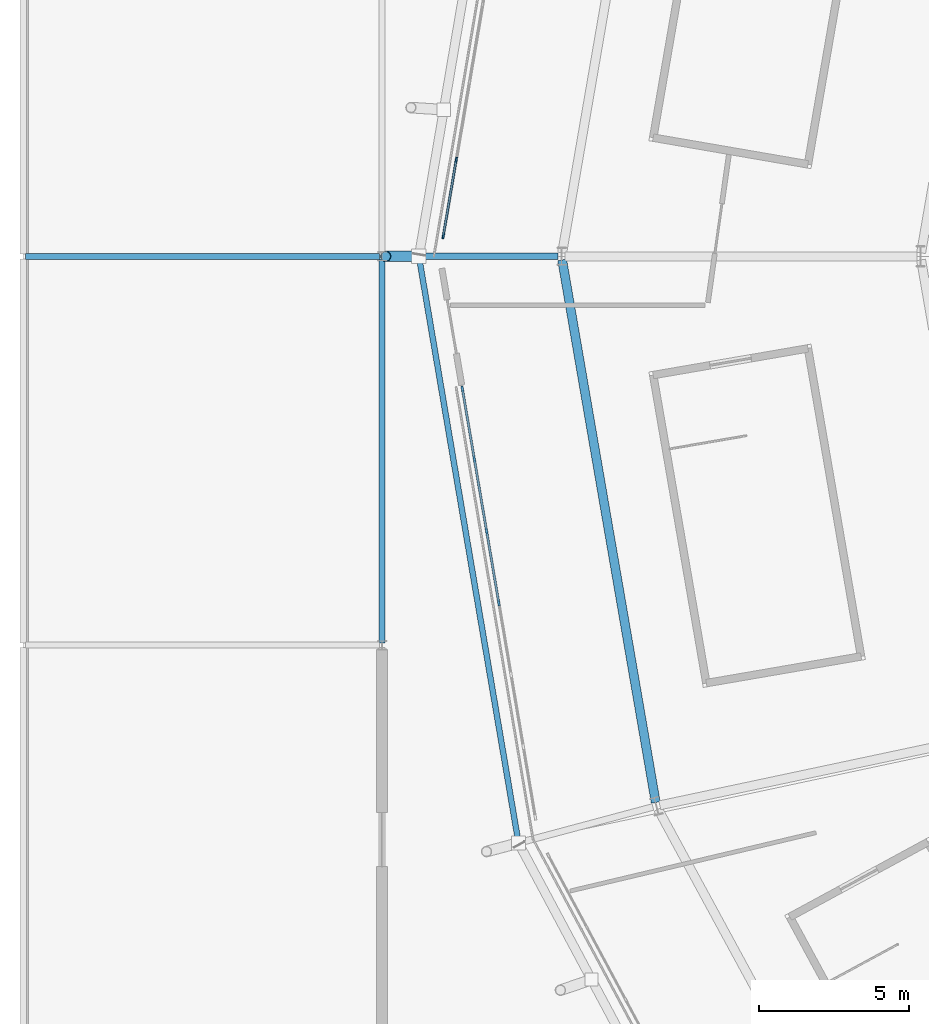
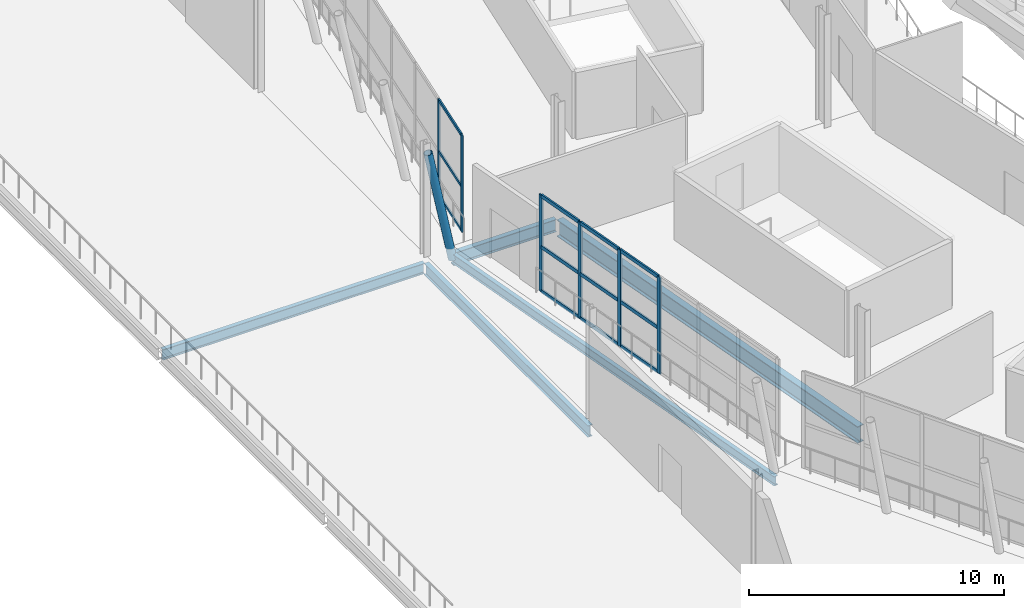
# One storey, part 25 of 126: 19 members, 5 beams, 2 elements without a shape of their own.
"""IFC4 building model written with IfcOpenShell, lengths in metres."""

import ifcopenshell
import ifcopenshell.guid

model = None  # the IFC model being written
_history = None  # IfcOwnerHistory: only IFC2X3 demands one
_inside = {}  # id of a spatial element -> (the spatial element, [elements in it])
_under = {}  # id of a project, library or spatial element -> (it, [spatial elements below it])
_declared = {}  # id of a project -> (the project, [libraries it declares])
_typed = {}  # id of a type object -> (the type object, [elements of that type])
_made_of = {}  # id of a material, layer set ... -> (it, [elements and type objects made of it])


def new_model(schema):
    """Start an empty IFC model of exactly this schema.

    Asked for "IFC4X3", IfcOpenShell would pick the latest addendum, in which some entities
    have other attributes; the version numbers below select the first issue.
    IFC2X3 requires an IfcOwnerHistory on every rooted entity: one is made here for all.
    """
    global model, _history
    if schema == "IFC4X3":
        model = ifcopenshell.file(schema_version=(4, 3, 0, 0))
    else:
        model = ifcopenshell.file(schema=schema)
    _inside.clear()
    _under.clear()
    _declared.clear()
    _typed.clear()
    _made_of.clear()
    _history = None
    if model.schema == "IFC2X3":
        org = make("IfcOrganization", Name="unknown")
        user = make(
            "IfcPersonAndOrganization",
            ThePerson=make("IfcPerson", FamilyName="unknown"),
            TheOrganization=org,
        )
        app = make(
            "IfcApplication",
            ApplicationDeveloper=org,
            Version="unknown",
            ApplicationFullName="unknown",
            ApplicationIdentifier="unknown",
        )
        _history = make(
            "IfcOwnerHistory",
            OwningUser=user,
            OwningApplication=app,
            ChangeAction="ADDED",
            CreationDate=0,
        )
    return model


def make(cls, **values):
    """One entity of the class cls with the attributes given. An attribute that is None is left unset."""
    return model.create_entity(
        cls, **{name: value for name, value in values.items() if value is not None}
    )


def rooted(cls, **values):
    """An entity with a GlobalId (a new one), such as an element, a storey or a relation."""
    return make(cls, GlobalId=ifcopenshell.guid.new(), OwnerHistory=_history, **values)


def si_unit(unit_type, name, prefix=None):
    """IfcSIUnit, for example si_unit("LENGTHUNIT", "METRE", prefix="MILLI")."""
    return make("IfcSIUnit", UnitType=unit_type, Prefix=prefix, Name=name)


def assignment(units):
    """IfcUnitAssignment: the units of a project."""
    return None if units is None else make("IfcUnitAssignment", Units=units)


def point(xyz):
    """IfcCartesianPoint."""
    return None if xyz is None else make("IfcCartesianPoint", Coordinates=xyz)


def direction(xyz):
    """IfcDirection."""
    return None if xyz is None else make("IfcDirection", DirectionRatios=xyz)


def frame(location, z_axis=None, x_axis=None):
    """IfcAxis2Placement3D, a coordinate frame: its origin and axes. An axis left out is left unset."""
    return make(
        "IfcAxis2Placement3D",
        Location=point(location),
        Axis=direction(z_axis),
        RefDirection=direction(x_axis),
    )


def frame_2d(location, x_axis=None):
    """IfcAxis2Placement2D, a coordinate frame in the plane: its origin and x axis."""
    return make(
        "IfcAxis2Placement2D", Location=point(location), RefDirection=direction(x_axis)
    )


def origin():
    """The frame at (0, 0, 0) with its axes left unset."""
    return frame((0.0, 0.0, 0.0))


def origin_2d():
    """The frame at (0, 0) in the plane with its x axis left unset."""
    return frame_2d((0.0, 0.0))


def place(relative_to, where):
    """IfcLocalPlacement: puts the frame where relative to a parent placement (None: the world)."""
    return make(
        "IfcLocalPlacement", PlacementRelTo=relative_to, RelativePlacement=where
    )


def context(
    kind, dimensions, precision=None, world=None, true_north=None, identifier=None
):
    """IfcGeometricRepresentationContext, for example the 3D "Model" context."""
    return make(
        "IfcGeometricRepresentationContext",
        ContextIdentifier=identifier,
        ContextType=kind,
        CoordinateSpaceDimension=dimensions,
        Precision=precision,
        WorldCoordinateSystem=world,
        TrueNorth=true_north,
    )


def subcontext(parent, identifier, kind, view, scale=None):
    """IfcGeometricRepresentationSubContext, for example "Body" below "Model"."""
    return make(
        "IfcGeometricRepresentationSubContext",
        ContextIdentifier=identifier,
        ContextType=kind,
        ParentContext=parent,
        TargetScale=scale,
        TargetView=view,
    )


def project(units=None, contexts=None):
    """IfcProject with its units and contexts."""
    return rooted(
        "IfcProject",
        Name="project",
        RepresentationContexts=contexts,
        UnitsInContext=assignment(units),
    )


def spatial(cls, under=None, at=None, **own):
    """A site, building, storey or space (cls), placed at a placement, below another one or the project."""
    s = rooted(cls, ObjectPlacement=at, **own)
    if under is not None:
        _under.setdefault(under.id(), (under, []))[1].append(s)
    return s


def profile(cls, at=None, kind="AREA", **sizes):
    """A parametric profile (cls). Its sizes go by their IFC names, for example OverallWidth=200.0."""
    return make(cls, ProfileType=kind, Position=at, **sizes)


def rectangle(**sizes):
    """IfcRectangleProfileDef."""
    return profile("IfcRectangleProfileDef", **sizes)


def hollow_circle(**sizes):
    """IfcCircleHollowProfileDef."""
    return profile("IfcCircleHollowProfileDef", **sizes)


def i_section(**sizes):
    """IfcIShapeProfileDef."""
    return profile("IfcIShapeProfileDef", **sizes)


def extrude(swept, where, along, depth):
    """IfcExtrudedAreaSolid: the profile swept, set in the frame where, extruded along a direction by depth."""
    return make(
        "IfcExtrudedAreaSolid",
        SweptArea=swept,
        Position=where,
        ExtrudedDirection=direction(along),
        Depth=depth,
    )


def shape(context_of_items, identifier, shape_type, items):
    """IfcShapeRepresentation: the items that make up one representation, for example the "Body"."""
    return make(
        "IfcShapeRepresentation",
        ContextOfItems=context_of_items,
        RepresentationIdentifier=identifier,
        RepresentationType=shape_type,
        Items=items,
    )


def material(Name=None, Category=None):
    """IfcMaterial."""
    return make("IfcMaterial", Name=Name, Category=Category)


def material_profile(
    of_material, cross_section, Name=None, Category=None, Priority=None
):
    """IfcMaterialProfile: a cross section and its material."""
    return make(
        "IfcMaterialProfile",
        Name=Name,
        Material=of_material,
        Profile=cross_section,
        Priority=Priority,
        Category=Category,
    )


def profile_set(profiles, Name=None, composite=None):
    """IfcMaterialProfileSet."""
    return make(
        "IfcMaterialProfileSet",
        Name=Name,
        MaterialProfiles=profiles,
        CompositeProfile=composite,
    )


def made_of(thing, what):
    """Note that an element or type object is made of a material, layer set ...; save() writes the relation."""
    if what is not None:
        _made_of.setdefault(what.id(), (what, []))[1].append(thing)
    return thing


def type_object(cls, material=None, **own):
    """A type object (cls), such as IfcWallType, which elements share."""
    return made_of(rooted(cls, **own), material)


def element(
    cls,
    number,
    at=None,
    inside=None,
    cuts=None,
    type_object=None,
    material=None,
    context=None,
    identifier="Body",
    shape_type=None,
    held_by="IfcProductDefinitionShape",
    body=None,
    shapes=None,
    **own,
):
    """One element of the class cls, such as IfcWall. Its Tag is "e" and its number.

    at: its placement. inside: the storey or other place that contains it. cuts: it is an
    opening in that element (IfcRelVoidsElement). A single representation is given by context,
    identifier, shape_type and body (its items); several are given by shapes. held_by: the class
    of the entity that holds the representations. save() writes the other relations.
    """
    e = rooted(cls, Tag="e%d" % number, ObjectPlacement=at, **own)
    if body is not None:
        shapes = [shape(context, identifier, shape_type, body)]
    if shapes is not None:
        e.Representation = make(held_by, Representations=shapes)
    if inside is not None:
        _inside.setdefault(inside.id(), (inside, []))[1].append(e)
    if cuts is not None:
        rooted(
            "IfcRelVoidsElement", RelatingBuildingElement=cuts, RelatedOpeningElement=e
        )
    if type_object is not None:
        _typed.setdefault(type_object.id(), (type_object, []))[1].append(e)
    return made_of(e, material)


def aggregate(whole, parts):
    """IfcRelAggregates: a whole, such as a stair, and the parts it consists of."""
    return rooted("IfcRelAggregates", RelatingObject=whole, RelatedObjects=parts)


def save(model, path):
    """Write the relations noted so far, then the file.

    IfcRelAggregates (storeys below a building ...), IfcRelContainedInSpatialStructure (elements
    in a storey), IfcRelDefinesByType, IfcRelAssociatesMaterial and IfcRelDeclares: one each for
    every whole, place, type object, material and project.
    """
    for whole, parts in _under.values():
        aggregate(whole, parts)
    for where, things in _inside.values():
        rooted(
            "IfcRelContainedInSpatialStructure",
            RelatedElements=things,
            RelatingStructure=where,
        )
    for kind, things in _typed.values():
        rooted("IfcRelDefinesByType", RelatedObjects=things, RelatingType=kind)
    for what, things in _made_of.values():
        rooted("IfcRelAssociatesMaterial", RelatedObjects=things, RelatingMaterial=what)
    for by, libraries in _declared.values():
        rooted("IfcRelDeclares", RelatingContext=by, RelatedDefinitions=libraries)
    model.write(path)


model = new_model("IFC4")

# Units and contexts
model_context = context("Model", 3, precision=1e-05, world=origin(), true_north=direction((0.0, 1.0)))
body_context = subcontext(model_context, "Body", "Model", "MODEL_VIEW")
ifc_project = project(units=[si_unit("LENGTHUNIT", "METRE"), si_unit("AREAUNIT", "SQUARE_METRE"), si_unit("VOLUMEUNIT", "CUBIC_METRE"), si_unit("PLANEANGLEUNIT", "RADIAN"), si_unit("MASSUNIT", "GRAM", prefix="KILO")], contexts=[model_context])

# Site, building, storey
site_placement = place(None, origin())
site = spatial("IfcSite", under=ifc_project, at=site_placement, CompositionType="ELEMENT")
building_placement = place(site_placement, origin())
building = spatial("IfcBuilding", under=site, at=building_placement, Name="Zlatoyarsky Gate Stadium", CompositionType="ELEMENT")
storey_placement = place(building_placement, frame((0.0, 0.0, 20.800048828125)))
storey = spatial("IfcBuildingStorey", under=building, at=storey_placement, Name="L04", CompositionType="ELEMENT", Elevation=20.800048828125)

# Curtain wall, members
ifc_material_1 = material(Name="Thermally broken anodised aluminium curtain wall", Category="aluminium")
curtain_wall_type_1 = type_object("IfcCurtainWallType", Name="MONUMENTAL ARCHED GATE GLAZING LOWER", PredefinedType="USERDEFINED", material=ifc_material_1)
curtain_wall_1_placement = place(storey_placement, origin())
curtain_wall_1 = element("IfcCurtainWall", 1, at=curtain_wall_1_placement, inside=storey, type_object=curtain_wall_type_1, Name="Curtain wall CW-L04-12", ObjectType="ARCHED GATE GLAZING", PredefinedType="USERDEFINED")
ifc_material_2 = material(Name="Anodised aluminium 6063-T6", Category="aluminium")
ifc_material_profile_1 = material_profile(ifc_material_2, rectangle(XDim=0.074951171875, YDim=0.18994140625, at=origin_2d()), Name="ALU 75X190")
ifc_profile_set_1 = profile_set([ifc_material_profile_1], Name="Anodised aluminium 6063-T6")
member_type_1 = type_object("IfcMemberType", Name="ALUMINIUM GATE MULLION 75X190", PredefinedType="MULLION", material=ifc_profile_set_1)
member_1_placement = place(storey_placement, frame((14.68359375, 75.576171875, 0.0), z_axis=(0.0, 0.0, 1.0), x_axis=(0.985817242516, 0.167822419114, 0.0)))
member_1 = element("IfcMember", 2, at=member_1_placement, type_object=member_type_1, Name="CW-AG1 mullion 1", PredefinedType="MULLION", context=body_context, shape_type="SweptSolid", body=[
    extrude(rectangle(XDim=0.074951171875, YDim=0.18994140625, at=origin_2d()), origin(), (0.0, 0.0, 1.0), 4.619873046875),
])
member_2_placement = place(storey_placement, frame((15.0859375, 73.212890625, 0.0), z_axis=(0.0, 0.0, 1.0), x_axis=(0.985817242516, 0.167822419114, 0.0)))
member_2 = element("IfcMember", 3, at=member_2_placement, type_object=member_type_1, Name="CW-AG1 mullion 2", PredefinedType="MULLION", context=body_context, shape_type="SweptSolid", body=[
    extrude(rectangle(XDim=0.074951171875, YDim=0.18994140625, at=origin_2d()), origin(), (0.0, 0.0, 1.0), 4.619873046875),
])
member_3_placement = place(storey_placement, frame((15.494384765625, 70.8125, 0.0), z_axis=(0.0, 0.0, 1.0), x_axis=(0.985817242516, 0.167822419114, 0.0)))
member_3 = element("IfcMember", 4, at=member_3_placement, type_object=member_type_1, Name="CW-AG1 mullion 3", PredefinedType="MULLION", context=body_context, shape_type="SweptSolid", body=[
    extrude(rectangle(XDim=0.074951171875, YDim=0.18994140625, at=origin_2d()), origin(), (0.0, 0.0, 1.0), 4.619873046875),
])
member_4_placement = place(storey_placement, frame((15.903076171875, 68.412353515625, 0.0), z_axis=(0.0, 0.0, 1.0), x_axis=(0.985817242516, 0.167822419114, 0.0)))
member_4 = element("IfcMember", 5, at=member_4_placement, type_object=member_type_1, Name="CW-AG1 mullion 4", PredefinedType="MULLION", context=body_context, shape_type="SweptSolid", body=[
    extrude(rectangle(XDim=0.074951171875, YDim=0.18994140625, at=origin_2d()), origin(), (0.0, 0.0, 1.0), 4.619873046875),
])
ifc_material_profile_2 = material_profile(ifc_material_2, rectangle(XDim=0.074951171875, YDim=0.169921875, at=origin_2d()), Name="ALU 75X170")
ifc_profile_set_2 = profile_set([ifc_material_profile_2], Name="Anodised aluminium 6063-T6")
member_type_2 = type_object("IfcMemberType", Name="ALUMINIUM GATE TRANSOM 75X170", PredefinedType="USERDEFINED", material=ifc_profile_set_2)
member_5_placement = place(storey_placement, frame((14.689697265625, 75.5390625, 0.037353515625), z_axis=(0.167892821996, -0.985805254765, 0.0), x_axis=(0.985805254765, 0.167892821996, 0.0)))
member_5 = element("IfcMember", 6, at=member_5_placement, type_object=member_type_2, Name="CW-AG1 transom 1.1", ObjectType="TRANSOM", PredefinedType="USERDEFINED", context=body_context, shape_type="SweptSolid", body=[
    extrude(rectangle(XDim=0.074951171875, YDim=0.169921875, at=origin_2d()), origin(), (0.0, 0.0, 1.0), 2.322265625),
])
member_6_placement = place(storey_placement, frame((14.689697265625, 75.5390625, 2.14990234375), z_axis=(0.167892821996, -0.985805254765, 0.0), x_axis=(0.985805254765, 0.167892821996, 0.0)))
member_6 = element("IfcMember", 7, at=member_6_placement, type_object=member_type_2, Name="CW-AG1 transom 1.2", ObjectType="TRANSOM", PredefinedType="USERDEFINED", context=body_context, shape_type="SweptSolid", body=[
    extrude(rectangle(XDim=0.074951171875, YDim=0.169921875, at=origin_2d()), origin(), (0.0, 0.0, 1.0), 2.322265625),
])
member_7_placement = place(storey_placement, frame((14.689697265625, 75.5390625, 4.58251953125), z_axis=(0.167892821996, -0.985805254765, 0.0), x_axis=(0.985805254765, 0.167892821996, 0.0)))
member_7 = element("IfcMember", 8, at=member_7_placement, type_object=member_type_2, Name="CW-AG1 transom 1.3", ObjectType="TRANSOM", PredefinedType="USERDEFINED", context=body_context, shape_type="SweptSolid", body=[
    extrude(rectangle(XDim=0.074951171875, YDim=0.169921875, at=origin_2d()), origin(), (0.0, 0.0, 1.0), 2.322265625),
])
member_8_placement = place(storey_placement, frame((15.092041015625, 73.17578125, 0.037353515625), z_axis=(0.167820742069, -0.98581752801, 0.0), x_axis=(0.98581752801, 0.167820742069, 0.0)))
member_8 = element("IfcMember", 9, at=member_8_placement, type_object=member_type_2, Name="CW-AG1 transom 2.1", ObjectType="TRANSOM", PredefinedType="USERDEFINED", context=body_context, shape_type="SweptSolid", body=[
    extrude(rectangle(XDim=0.074951171875, YDim=0.169921875, at=origin_2d()), origin(), (0.0, 0.0, 1.0), 2.359619140625),
])
member_9_placement = place(storey_placement, frame((15.092041015625, 73.17578125, 2.14990234375), z_axis=(0.167820742069, -0.98581752801, 0.0), x_axis=(0.98581752801, 0.167820742069, 0.0)))
member_9 = element("IfcMember", 10, at=member_9_placement, type_object=member_type_2, Name="CW-AG1 transom 2.2", ObjectType="TRANSOM", PredefinedType="USERDEFINED", context=body_context, shape_type="SweptSolid", body=[
    extrude(rectangle(XDim=0.074951171875, YDim=0.169921875, at=origin_2d()), origin(), (0.0, 0.0, 1.0), 2.359619140625),
])
member_10_placement = place(storey_placement, frame((15.092041015625, 73.17578125, 4.58251953125), z_axis=(0.167820742069, -0.98581752801, 0.0), x_axis=(0.98581752801, 0.167820742069, 0.0)))
member_10 = element("IfcMember", 11, at=member_10_placement, type_object=member_type_2, Name="CW-AG1 transom 2.3", ObjectType="TRANSOM", PredefinedType="USERDEFINED", context=body_context, shape_type="SweptSolid", body=[
    extrude(rectangle(XDim=0.074951171875, YDim=0.169921875, at=origin_2d()), origin(), (0.0, 0.0, 1.0), 2.359619140625),
])
member_11_placement = place(storey_placement, frame((15.500732421875, 70.775634765625, 0.037353515625), z_axis=(0.167803626422, -0.985820441541, 0.0), x_axis=(0.985820441541, 0.167803626422, 0.0)))
member_11 = element("IfcMember", 12, at=member_11_placement, type_object=member_type_2, Name="CW-AG1 transom 3.1", ObjectType="TRANSOM", PredefinedType="USERDEFINED", context=body_context, shape_type="SweptSolid", body=[
    extrude(rectangle(XDim=0.074951171875, YDim=0.169921875, at=origin_2d()), origin(), (0.0, 0.0, 1.0), 2.35986328125),
])
member_12_placement = place(storey_placement, frame((15.500732421875, 70.775634765625, 2.14990234375), z_axis=(0.167803626422, -0.985820441541, 0.0), x_axis=(0.985820441541, 0.167803626422, 0.0)))
member_12 = element("IfcMember", 13, at=member_12_placement, type_object=member_type_2, Name="CW-AG1 transom 3.2", ObjectType="TRANSOM", PredefinedType="USERDEFINED", context=body_context, shape_type="SweptSolid", body=[
    extrude(rectangle(XDim=0.074951171875, YDim=0.169921875, at=origin_2d()), origin(), (0.0, 0.0, 1.0), 2.35986328125),
])
member_13_placement = place(storey_placement, frame((15.500732421875, 70.775634765625, 4.58251953125), z_axis=(0.167803626422, -0.985820441541, 0.0), x_axis=(0.985820441541, 0.167803626422, 0.0)))
member_13 = element("IfcMember", 14, at=member_13_placement, type_object=member_type_2, Name="CW-AG1 transom 3.3", ObjectType="TRANSOM", PredefinedType="USERDEFINED", context=body_context, shape_type="SweptSolid", body=[
    extrude(rectangle(XDim=0.074951171875, YDim=0.169921875, at=origin_2d()), origin(), (0.0, 0.0, 1.0), 2.35986328125),
])
aggregate(curtain_wall_1, [member_1, member_2, member_3, member_4, member_5, member_6, member_7, member_8, member_9, member_10, member_11, member_12, member_13])

curtain_wall_type_2 = type_object("IfcCurtainWallType", Name="UNITISED MEDIA RING GLAZING L04", PredefinedType="USERDEFINED", material=ifc_material_1)
curtain_wall_2_placement = place(storey_placement, origin())
curtain_wall_2 = element("IfcCurtainWall", 15, at=curtain_wall_2_placement, inside=storey, type_object=curtain_wall_type_2, Name="Curtain wall CW-L04-11", ObjectType="UNITISED GLAZING", PredefinedType="USERDEFINED")
ifc_material_profile_3 = material_profile(ifc_material_2, rectangle(XDim=0.06494140625, YDim=0.159912109375, at=origin_2d()), Name="ALU 65X160")
ifc_profile_set_3 = profile_set([ifc_material_profile_3], Name="Anodised aluminium 6063-T6")
member_type_3 = type_object("IfcMemberType", Name="ALUMINIUM MULLION 65X160", PredefinedType="MULLION", material=ifc_profile_set_3)
member_14_placement = place(storey_placement, frame((14.48095703125, 83.2333984375, 0.0), z_axis=(0.0, 0.0, 1.0), x_axis=(0.985817460475, -0.167821138782, 0.0)))
member_14 = element("IfcMember", 16, at=member_14_placement, type_object=member_type_3, Name="CW-UG4 mullion 7", PredefinedType="MULLION", context=body_context, shape_type="SweptSolid", body=[
    extrude(rectangle(XDim=0.06494140625, YDim=0.159912109375, at=origin_2d()), origin(), (0.0, 0.0, 1.0), 4.619873046875),
])
member_15_placement = place(storey_placement, frame((14.044921875, 80.6728515625, 0.0), z_axis=(0.0, 0.0, 1.0), x_axis=(0.985817460475, -0.167821138782, 0.0)))
member_15 = element("IfcMember", 17, at=member_15_placement, type_object=member_type_3, Name="CW-UG4 mullion 8", PredefinedType="MULLION", context=body_context, shape_type="SweptSolid", body=[
    extrude(rectangle(XDim=0.06494140625, YDim=0.159912109375, at=origin_2d()), origin(), (0.0, 0.0, 1.0), 4.619873046875),
])
ifc_material_profile_4 = material_profile(ifc_material_2, rectangle(XDim=0.06494140625, YDim=0.139892578125, at=origin_2d()), Name="ALU 65X140")
ifc_profile_set_4 = profile_set([ifc_material_profile_4], Name="Anodised aluminium 6063-T6")
member_type_4 = type_object("IfcMemberType", Name="ALUMINIUM TRANSOM 65X140", PredefinedType="USERDEFINED", material=ifc_profile_set_4)
member_16_placement = place(storey_placement, frame((14.475341796875, 83.201416015625, 0.032470703125), z_axis=(-0.167837221956, -0.985814722413, 0.0), x_axis=(0.985814722413, -0.167837221956, 0.0)))
member_16 = element("IfcMember", 18, at=member_16_placement, type_object=member_type_4, Name="CW-UG4 transom 7.1", ObjectType="TRANSOM", PredefinedType="USERDEFINED", context=body_context, shape_type="SweptSolid", body=[
    extrude(rectangle(XDim=0.06494140625, YDim=0.139892578125, at=origin_2d()), origin(), (0.0, 0.0, 1.0), 2.532470703125),
])
member_17_placement = place(storey_placement, frame((14.475341796875, 83.201416015625, 2.14990234375), z_axis=(-0.167837221956, -0.985814722413, 0.0), x_axis=(0.985814722413, -0.167837221956, 0.0)))
member_17 = element("IfcMember", 19, at=member_17_placement, type_object=member_type_4, Name="CW-UG4 transom 7.2", ObjectType="TRANSOM", PredefinedType="USERDEFINED", context=body_context, shape_type="SweptSolid", body=[
    extrude(rectangle(XDim=0.06494140625, YDim=0.139892578125, at=origin_2d()), origin(), (0.0, 0.0, 1.0), 2.532470703125),
])
member_18_placement = place(storey_placement, frame((14.475341796875, 83.201416015625, 4.58740234375), z_axis=(-0.167837221956, -0.985814722413, 0.0), x_axis=(0.985814722413, -0.167837221956, 0.0)))
member_18 = element("IfcMember", 20, at=member_18_placement, type_object=member_type_4, Name="CW-UG4 transom 7.3", ObjectType="TRANSOM", PredefinedType="USERDEFINED", context=body_context, shape_type="SweptSolid", body=[
    extrude(rectangle(XDim=0.06494140625, YDim=0.139892578125, at=origin_2d()), origin(), (0.0, 0.0, 1.0), 2.532470703125),
])
aggregate(curtain_wall_2, [member_14, member_15, member_16, member_17, member_18])

# Beams
ifc_material_3 = material(Name="Steel S355", Category="steel")
ifc_material_profile_5 = material_profile(ifc_material_3, i_section(OverallWidth=0.219970703125, OverallDepth=0.60009765625, WebThickness=0.011962890625, FlangeThickness=0.01904296875, FilletRadius=0.02392578125, at=origin_2d()), Name="IPE 600")
ifc_profile_set_5 = profile_set([ifc_material_profile_5], Name="Steel S355")
beam_type_1 = type_object("IfcBeamType", Name="STEEL CANTILEVER FLOOR BEAM IPE 600", PredefinedType="BEAM", material=ifc_profile_set_5)
beam_1_placement = place(storey_placement, frame((17.8798828125, 80.0, -0.60009765625), z_axis=(-1.0, 0.0, 0.0), x_axis=(0.0, -1.0, 0.0)))
element("IfcBeam", 21, at=beam_1_placement, inside=storey, type_object=beam_type_1, Name="Beam B-IPE600 BM-L04-OUT-12", PredefinedType="BEAM", context=body_context, shape_type="SweptSolid", body=[
    extrude(i_section(OverallWidth=0.219970703125, OverallDepth=0.60009765625, WebThickness=0.011962890625, FlangeThickness=0.01904296875, FilletRadius=0.02392578125, at=origin_2d()), origin(), (0.0, 0.0, 1.0), 4.6494140625),
])
ifc_material_profile_6 = material_profile(ifc_material_3, i_section(OverallWidth=0.18994140625, OverallDepth=0.449951171875, WebThickness=0.009521484375, FlangeThickness=0.0146484375, FilletRadius=0.02099609375, at=origin_2d()), Name="IPE 450")
ifc_profile_set_6 = profile_set([ifc_material_profile_6], Name="Steel S355")
beam_type_2 = type_object("IfcBeamType", Name="STEEL EDGE SPANDREL IPE 450", PredefinedType="SPANDREL", material=ifc_profile_set_6)
beam_2_placement = place(storey_placement, frame((13.233642578125, 79.980224609375, -0.525146484375), z_axis=(0.16749138305, -0.985873539864, 0.0), x_axis=(0.985873539864, 0.16749138305, 0.0)))
element("IfcBeam", 22, at=beam_2_placement, inside=storey, type_object=beam_type_2, Name="Beam SP-IPE450 BM-L04-SPD-12", PredefinedType="SPANDREL", context=body_context, shape_type="SweptSolid", body=[
    extrude(i_section(OverallWidth=0.18994140625, OverallDepth=0.449951171875, WebThickness=0.009521484375, FlangeThickness=0.0146484375, FilletRadius=0.02099609375, at=origin_2d()), origin(), (0.0, 0.0, 1.0), 19.8515625),
])
ifc_material_profile_7 = material_profile(ifc_material_3, i_section(OverallWidth=0.199951171875, OverallDepth=0.5, WebThickness=0.01025390625, FlangeThickness=0.01611328125, FilletRadius=0.02099609375, at=origin_2d()), Name="IPE 500")
ifc_profile_set_7 = profile_set([ifc_material_profile_7], Name="Steel S355")
beam_type_3 = type_object("IfcBeamType", Name="STEEL FLOOR BEAM IPE 500", PredefinedType="BEAM", material=ifc_profile_set_7)
beam_3_placement = place(storey_placement, frame((0.080078125, 80.0, -0.570068359375), z_axis=(1.0, 0.0, 0.0), x_axis=(0.0, 1.0, 0.0)))
element("IfcBeam", 23, at=beam_3_placement, inside=storey, type_object=beam_type_3, Name="Beam B-IPE500 BM-L04-WGX-1-H", PredefinedType="BEAM", context=body_context, shape_type="SweptSolid", body=[
    extrude(i_section(OverallWidth=0.199951171875, OverallDepth=0.5, WebThickness=0.01025390625, FlangeThickness=0.01611328125, FilletRadius=0.02099609375, at=origin_2d()), origin(), (0.0, 0.0, 1.0), 11.83984375),
])
ifc_material_profile_8 = material_profile(ifc_material_3, i_section(OverallWidth=0.2099609375, OverallDepth=0.550048828125, WebThickness=0.010986328125, FlangeThickness=0.01708984375, FilletRadius=0.02392578125, at=origin_2d()), Name="IPE 550")
ifc_profile_set_8 = profile_set([ifc_material_profile_8], Name="Steel S355")
beam_type_4 = type_object("IfcBeamType", Name="STEEL FLOOR BEAM IPE 550", PredefinedType="BEAM", material=ifc_profile_set_8)
beam_4_placement = place(storey_placement, frame((12.0, 67.080078125, -0.594970703125), z_axis=(0.0, 1.0, 0.0), x_axis=(-1.0, 0.0, 0.0)))
element("IfcBeam", 24, at=beam_4_placement, inside=storey, type_object=beam_type_4, Name="Beam B-IPE550 BM-L04-WGY-2-G", PredefinedType="BEAM", context=body_context, shape_type="SweptSolid", body=[
    extrude(i_section(OverallWidth=0.2099609375, OverallDepth=0.550048828125, WebThickness=0.010986328125, FlangeThickness=0.01708984375, FilletRadius=0.02392578125, at=origin_2d()), origin(), (0.0, 0.0, 1.0), 12.83984375),
])

# Member
ifc_material_profile_9 = material_profile(ifc_material_3, hollow_circle(Radius=0.177734375, WallThickness=0.02001953125, at=origin_2d()), Name="CHS 355.6X20")
ifc_profile_set_9 = profile_set([ifc_material_profile_9], Name="Steel S355")
member_type_5 = type_object("IfcMemberType", Name="STEEL LEANING RIB RING STRUT CHS 355.6X20", PredefinedType="STRUT", material=ifc_profile_set_9)
member_19_placement = place(storey_placement, frame((13.23046875, 80.0, -0.60009765625), z_axis=(-0.199692055567, 0.0, 0.979858705602), x_axis=(0.0, -1.0, 0.0)))
element("IfcMember", 25, at=member_19_placement, inside=storey, type_object=member_type_5, Name="Leaning ring strut 12 L04 to L05", PredefinedType="STRUT", context=body_context, shape_type="SweptSolid", body=[
    extrude(hollow_circle(Radius=0.177734375, WallThickness=0.02001953125, at=origin_2d()), origin(), (0.0, 0.0, 1.0), 5.5517578125),
])

# Beam
ifc_material_profile_10 = material_profile(ifc_material_3, i_section(OverallWidth=0.300048828125, OverallDepth=0.800048828125, WebThickness=0.017578125, FlangeThickness=0.032958984375, FilletRadius=0.030029296875, at=origin_2d()), Name="HEB 800")
ifc_profile_set_10 = profile_set([ifc_material_profile_10], Name="Steel S355")
beam_type_5 = type_object("IfcBeamType", Name="STEEL PRIMARY GIRDER HEB 800", PredefinedType="BEAM", material=ifc_profile_set_10)
beam_5_placement = place(storey_placement, frame((18.0205078125, 79.881591796875, -0.699951171875), z_axis=(0.169930456666, -0.985456056807, 0.0), x_axis=(0.985456056807, 0.169930456666, 0.0)))
element("IfcBeam", 26, at=beam_5_placement, inside=storey, type_object=beam_type_5, Name="Beam G-HEB800 BM-L04-CRC-12", PredefinedType="BEAM", context=body_context, shape_type="SweptSolid", body=[
    extrude(i_section(OverallWidth=0.300048828125, OverallDepth=0.800048828125, WebThickness=0.017578125, FlangeThickness=0.032958984375, FilletRadius=0.030029296875, at=origin_2d()), origin(), (0.0, 0.0, 1.0), 18.4072265625),
])

save(model, "model.ifc")
